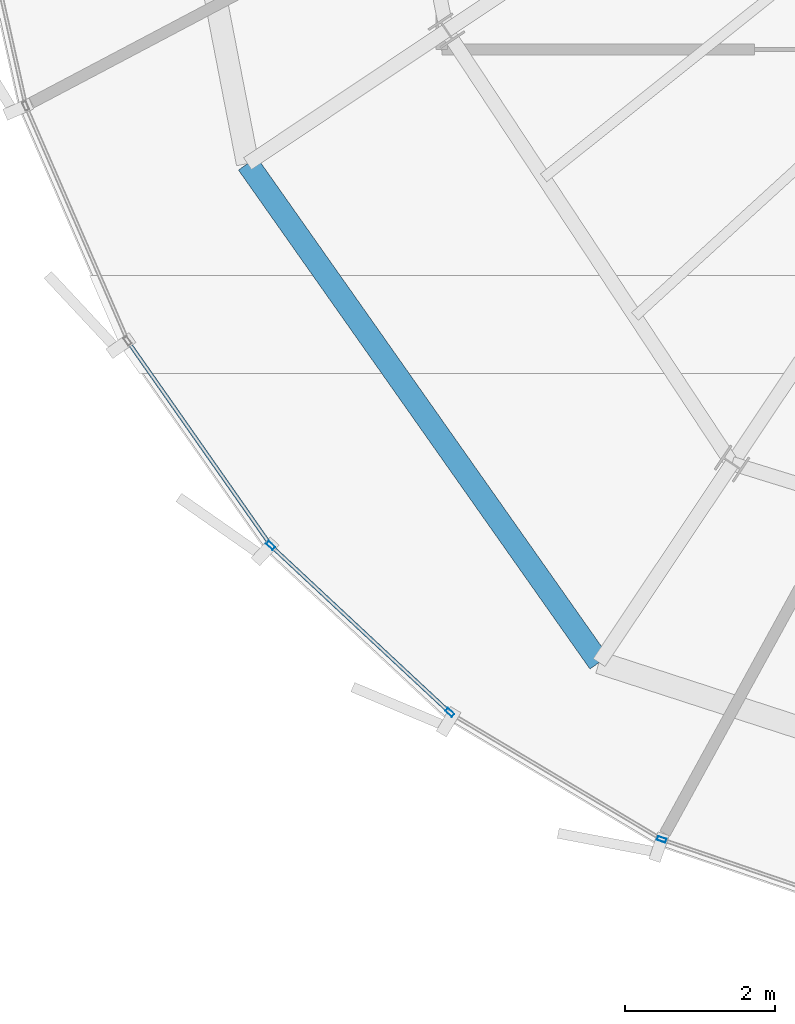
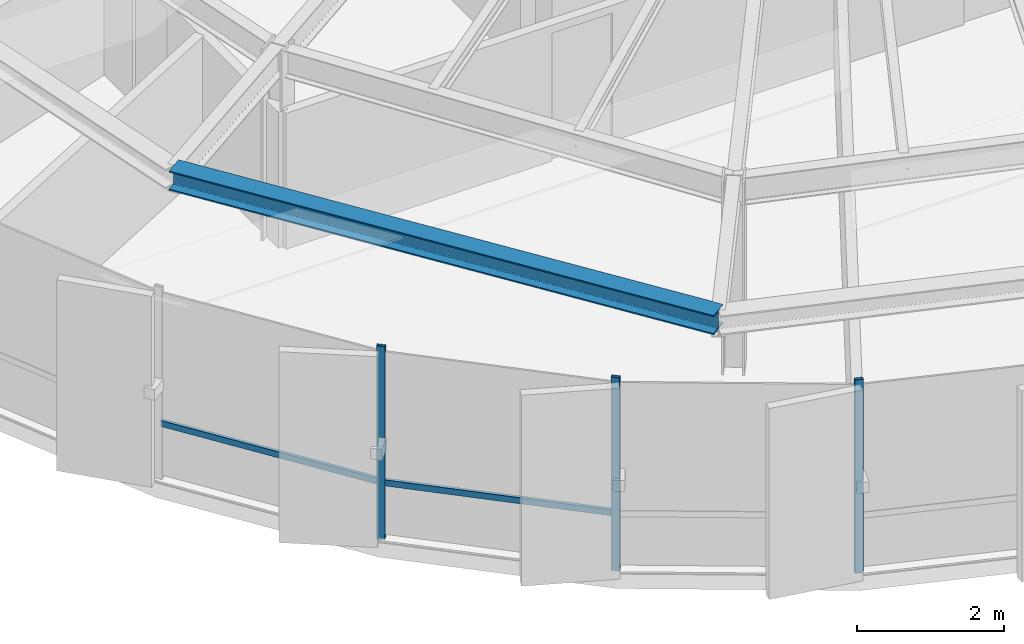
# One storey, part 2 of 35: 5 members, 1 beam, 2 elements without a shape of their own.
"""IFC4 building model written with IfcOpenShell, lengths in metres."""

from ifc_helpers import new_model, si_unit, direction, frame, origin, origin_2d, place, context, subcontext, project, spatial, hollow_rectangle, i_section, extrude, source, transform, mapped, material, layer, layer_set, material_profile, profile_set, type_object, element, aggregate, save


model = new_model("IFC4")

# Units and contexts
model_context = context("Model", 3, precision=1e-05, world=origin(), true_north=direction((0.0, 1.0)))
body_context = subcontext(model_context, "Body", "Model", "MODEL_VIEW")
ifc_project = project(units=[si_unit("LENGTHUNIT", "METRE"), si_unit("AREAUNIT", "SQUARE_METRE"), si_unit("VOLUMEUNIT", "CUBIC_METRE"), si_unit("PLANEANGLEUNIT", "RADIAN"), si_unit("MASSUNIT", "GRAM", prefix="KILO"), si_unit("THERMODYNAMICTEMPERATUREUNIT", "KELVIN")], contexts=[model_context])

# Site, building, storey
site_placement = place(None, origin())
site = spatial("IfcSite", under=ifc_project, at=site_placement, CompositionType="ELEMENT")
building_placement = place(site_placement, origin())
building = spatial("IfcBuilding", under=site, at=building_placement, Name="Kethvar Cultural Tower", CompositionType="ELEMENT")
storey_placement = place(building_placement, frame((0.0, 0.0, 249.10009765625)))
storey = spatial("IfcBuildingStorey", under=building, at=storey_placement, Name="L65", CompositionType="ELEMENT", Elevation=249.10009765625)

# Beam
ifc_material_1 = material(Name="Steel S355J2", Category="steel")
ifc_material_profile_1 = material_profile(ifc_material_1, i_section(OverallWidth=0.300048828125, OverallDepth=0.320068359375, WebThickness=0.011474609375, FlangeThickness=0.0205078125, FilletRadius=0.027099609375, at=origin_2d()), Name="Steel S355J2 — HEB320")
ifc_profile_set_1 = profile_set([ifc_material_profile_1], Name="Steel S355J2 — HEB320")
beam_type = type_object("IfcBeamType", Name="BM-SP320", PredefinedType="SPANDREL", material=ifc_profile_set_1)
shared_shape_1 = source(origin(), body_context, "Body", "SweptSolid", [
    extrude(i_section(OverallWidth=0.300048828125, OverallDepth=0.320068359375, WebThickness=0.011474609375, FlangeThickness=0.0205078125, FilletRadius=0.027099609375, at=origin_2d()), origin(), (0.0, 0.0, 1.0), 8.16259765625),
])
beam_placement = place(storey_placement, frame((30.252197265625, 16.7431640625, 3.0478515625), z_axis=(0.575940812748, -0.817491394579, 0.0), x_axis=(0.817491394579, 0.575940812748, 0.0)))
element("IfcBeam", 1, at=beam_placement, inside=storey, type_object=beam_type, Name="L65 Perimeter Spandrel Beam SP-10", PredefinedType="SPANDREL", context=body_context, shape_type="MappedRepresentation", body=[
    mapped(shared_shape_1, transform((0.0, 0.0, 0.0), scale=1.0)),
])

# Curtain wall, members
ifc_material_2 = material(Name="Aluminium 6063-T6", Category="aluminium")
ifc_layer = layer(ifc_material_2, 0.179931640625, Name="Aluminium 6063-T6", Category="aluminium")
ifc_layer_set = layer_set([ifc_layer], Name="Aluminium 6063-T6 (180 mm)")
curtain_wall_type = type_object("IfcCurtainWallType", Name="CW-SYS-05-Z56", PredefinedType="NOTDEFINED", material=ifc_layer_set)
curtain_wall_1_placement = place(storey_placement, origin())
curtain_wall_1 = element("IfcCurtainWall", 2, at=curtain_wall_1_placement, inside=storey, type_object=curtain_wall_type, Name="L65 Curtain Wall Run 03", PredefinedType="NOTDEFINED")
ifc_material_profile_2 = material_profile(ifc_material_2, hollow_rectangle(XDim=0.054931640625, YDim=0.1201171875, WallThickness=0.00390625, at=origin_2d()), Name="Aluminium 6063-T6 — RHS120x55x4")
ifc_profile_set_2 = profile_set([ifc_material_profile_2], Name="Aluminium 6063-T6 — RHS120x55x4")
member_type_1 = type_object("IfcMemberType", Name="CW-SYS-05-Z56-MUL", PredefinedType="MULLION", material=ifc_profile_set_2)
shared_shape_2 = source(origin(), body_context, "Body", "SweptSolid", [
    extrude(hollow_rectangle(XDim=0.054931640625, YDim=0.1201171875, WallThickness=0.00390625, at=origin_2d()), origin(), (0.0, 0.0, 1.0), 3.2099609375),
])
member_1_placement = place(storey_placement, frame((30.56005859375, 11.635986328125, 0.0), z_axis=(0.0, 0.0, 1.0), x_axis=(0.681909003262, 0.731437017979, 0.0)))
member_1 = element("IfcMember", 3, at=member_1_placement, type_object=member_type_1, Name="CW-L65-R03 Mullion 6", PredefinedType="MULLION", context=body_context, shape_type="MappedRepresentation", body=[
    mapped(shared_shape_2, transform((0.0, 0.0, 0.0), scale=1.0)),
])
member_2_placement = place(storey_placement, frame((32.95556640625, 9.402587890625, 0.0), z_axis=(0.0, 0.0, 1.0), x_axis=(0.681909003262, 0.731437017979, 0.0)))
member_2 = element("IfcMember", 4, at=member_2_placement, type_object=member_type_1, Name="CW-L65-R03 Mullion 7", PredefinedType="MULLION", context=body_context, shape_type="MappedRepresentation", body=[
    mapped(shared_shape_2, transform((0.0, 0.0, 0.0), scale=1.0)),
])

# Curtain wall, member
curtain_wall_2_placement = place(storey_placement, origin())
curtain_wall_2 = element("IfcCurtainWall", 5, at=curtain_wall_2_placement, inside=storey, type_object=curtain_wall_type, Name="L65 Curtain Wall Run 04", PredefinedType="NOTDEFINED")
member_3_placement = place(storey_placement, frame((35.78955078125, 7.7041015625, 0.0), z_axis=(0.0, 0.0, 1.0), x_axis=(0.322265695231, 0.946649260116, 0.0)))
member_3 = element("IfcMember", 6, at=member_3_placement, type_object=member_type_1, Name="CW-L65-R04 Mullion 2", PredefinedType="MULLION", context=body_context, shape_type="MappedRepresentation", body=[
    mapped(shared_shape_2, transform((0.0, 0.0, 0.0), scale=1.0)),
])
aggregate(curtain_wall_2, [member_3])

# Member
ifc_material_profile_3 = material_profile(ifc_material_2, hollow_rectangle(XDim=0.050048828125, YDim=0.10009765625, WallThickness=0.00390625, at=origin_2d()), Name="Aluminium 6063-T6 — RHS100x50x4")
ifc_profile_set_3 = profile_set([ifc_material_profile_3], Name="Aluminium 6063-T6 — RHS100x50x4")
member_type_2 = type_object("IfcMemberType", Name="CW-SYS-05-Z56-TRN", PredefinedType="USERDEFINED", material=ifc_profile_set_3)
shared_shape_3 = source(origin(), body_context, "Body", "SweptSolid", [
    extrude(hollow_rectangle(XDim=0.050048828125, YDim=0.10009765625, WallThickness=0.00390625, at=origin_2d()), origin(), (0.0, 0.0, 1.0), 3.279541015625),
])
member_4_placement = place(storey_placement, frame((28.669921875, 14.3388671875, 0.949951171875), z_axis=(0.573607230495, -0.819130481134, 0.0), x_axis=(0.819130481134, 0.573607230495, 0.0)))
member_4 = element("IfcMember", 7, at=member_4_placement, type_object=member_type_2, Name="CW-L65-R03 Transom 5", ObjectType="TRANSOM", PredefinedType="USERDEFINED", context=body_context, shape_type="MappedRepresentation", body=[
    mapped(shared_shape_3, transform((0.0, 0.0, 0.0), scale=1.0)),
])

shared_shape_4 = source(origin(), body_context, "Body", "SweptSolid", [
    extrude(hollow_rectangle(XDim=0.050048828125, YDim=0.10009765625, WallThickness=0.00390625, at=origin_2d()), origin(), (0.0, 0.0, 1.0), 3.231689453125),
])
member_5_placement = place(storey_placement, frame((30.589111328125, 11.60888671875, 0.949951171875), z_axis=(0.73141440338, -0.681933259586, 0.0), x_axis=(0.681933259586, 0.73141440338, 0.0)))
member_5 = element("IfcMember", 8, at=member_5_placement, type_object=member_type_2, Name="CW-L65-R03 Transom 6", ObjectType="TRANSOM", PredefinedType="USERDEFINED", context=body_context, shape_type="MappedRepresentation", body=[
    mapped(shared_shape_4, transform((0.0, 0.0, 0.0), scale=1.0)),
])

aggregate(curtain_wall_1, [member_1, member_2, member_4, member_5])

save(model, "model.ifc")
